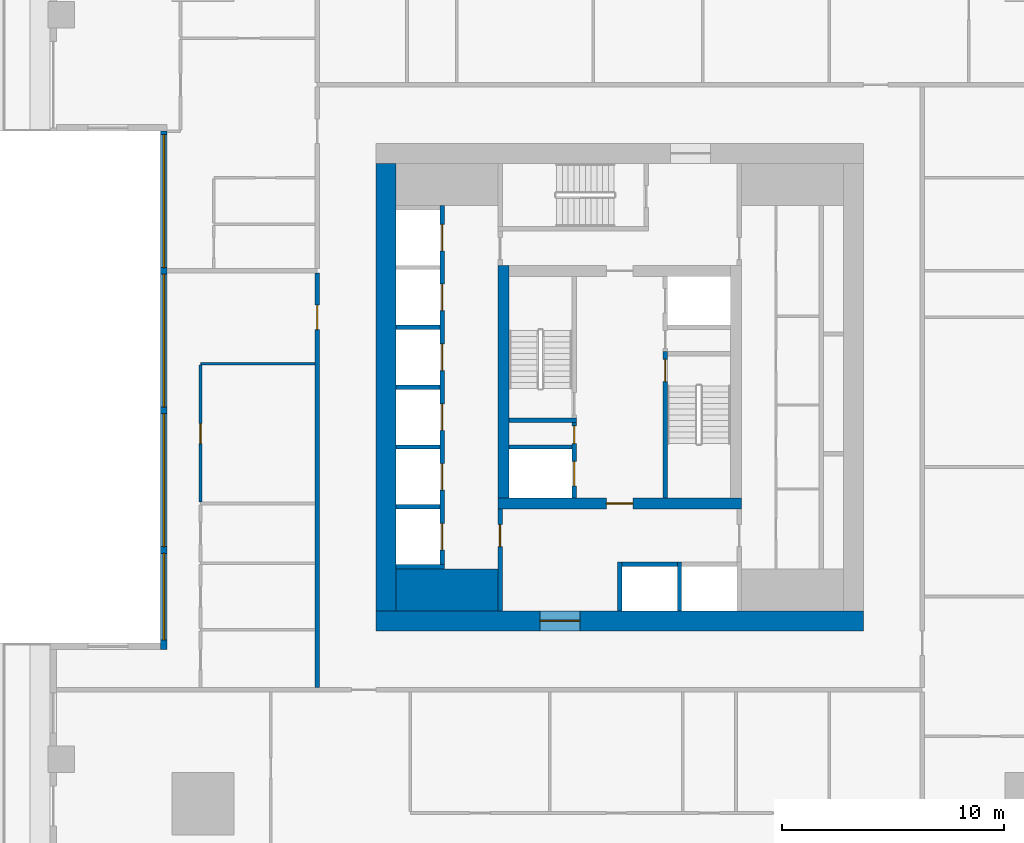
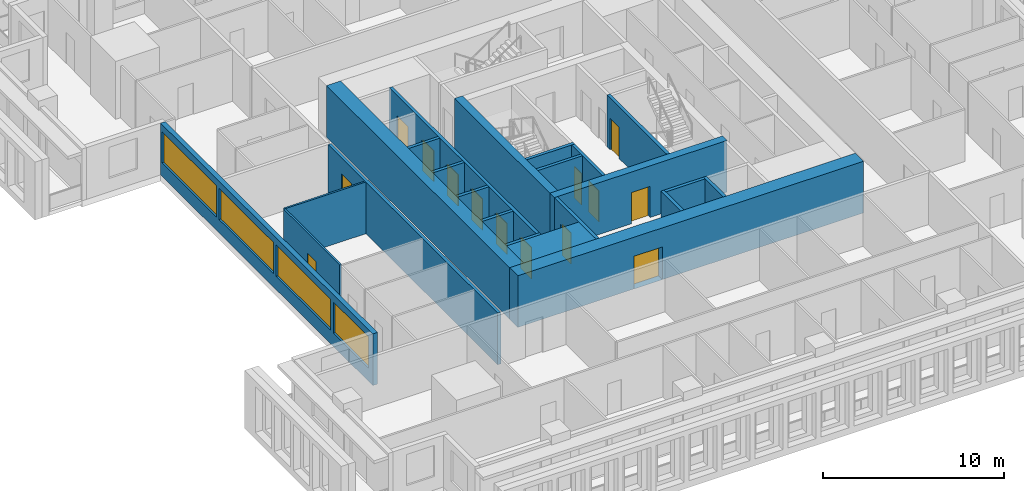
# One storey, part 3 of 14: 23 walls, 14 doors, 4 windows, 18 openings.
"""IFC4 building model written with IfcOpenShell, lengths in metres."""

from ifc_helpers import new_model, si_unit, direction, frame, frame_2d, origin, place, context, subcontext, project, spatial, rectangle, extrude, material, layer, layer_set, type_object, element, fill, save


model = new_model("IFC4")

# Units and contexts
model_context = context("Model", 3, precision=1e-05, world=origin(), true_north=direction((0.0, 1.0)))
body_context = subcontext(model_context, "Body", "Model", "MODEL_VIEW")
ifc_project = project(units=[si_unit("LENGTHUNIT", "METRE"), si_unit("AREAUNIT", "SQUARE_METRE"), si_unit("VOLUMEUNIT", "CUBIC_METRE"), si_unit("PLANEANGLEUNIT", "RADIAN"), si_unit("MASSUNIT", "GRAM", prefix="KILO")], contexts=[model_context])

# Site, building, storey
site_placement = place(None, origin())
site = spatial("IfcSite", under=ifc_project, at=site_placement, CompositionType="ELEMENT")
building_placement = place(site_placement, origin())
building = spatial("IfcBuilding", under=site, at=building_placement, Name="Khepri Terraces", CompositionType="ELEMENT")
storey_placement = place(building_placement, frame((0.0, 0.0, 114.300048828125)))
storey = spatial("IfcBuildingStorey", under=building, at=storey_placement, Name="L27", CompositionType="ELEMENT", Elevation=114.300048828125)

# Wall
ifc_material_1 = material(Name="Concrete C70/85", Category="concrete")
ifc_layer_1 = layer(ifc_material_1, 1.89990234375, Name="Concrete C70/85", Category="concrete")
ifc_layer_set_1 = layer_set([ifc_layer_1], Name="Concrete C70/85")
wall_type_1 = type_object("IfcWallType", Name="Core wall 1900 C70/85", PredefinedType="SHEAR", material=ifc_layer_set_1)
wall_1_placement = place(storey_placement, frame((-10.10009765625, -9.14990234375, 0.0), z_axis=(0.0, 0.0, 1.0), x_axis=(1.0, 0.0, 0.0)))
element("IfcWall", 1, at=wall_1_placement, inside=storey, type_object=wall_type_1, Name="Core wall PR01 L27", PredefinedType="SHEAR", context=body_context, shape_type="SweptSolid", body=[
    extrude(rectangle(XDim=4.60009765625, YDim=1.89990234375, at=frame_2d((2.300048828125, 0.0))), origin(), (0.0, 0.0, 1.0), 3.47998046875),
])

# Wall, opening, door
ifc_layer_2 = layer(ifc_material_1, 0.199951171875, Name="Concrete C70/85", Category="concrete")
ifc_layer_set_2 = layer_set([ifc_layer_2], Name="Concrete C70/85")
wall_type_2 = type_object("IfcWallType", Name="Core wall 200 C70/85", PredefinedType="SHEAR", material=ifc_layer_set_2)
wall_2_placement = place(storey_placement, frame((2.050048828125, -5.0, 0.0), z_axis=(0.0, 0.0, 1.0), x_axis=(0.0, 1.0, 0.0)))
wall_2 = element("IfcWall", 2, at=wall_2_placement, inside=storey, type_object=wall_type_2, Name="Core wall ST01 L27", PredefinedType="SHEAR", context=body_context, shape_type="SweptSolid", body=[
    extrude(rectangle(XDim=6.60009765625, YDim=0.199951171875, at=frame_2d((3.300048828125, 0.0))), origin(), (0.0, 0.0, 1.0), 3.47998046875),
])
opening_1_placement = place(wall_2_placement, frame((5.25, 0.0, 0.0)))
opening_1 = element("IfcOpeningElement", 3, at=opening_1_placement, cuts=wall_2, Name="Opening L27-C10", PredefinedType="OPENING", context=body_context, shape_type="SweptSolid", body=[
    extrude(rectangle(XDim=1.0, YDim=2.10009765625, at=frame_2d((0.5, 1.050048828125))), frame((0.0, 0.10986328125, 0.0), z_axis=(0.0, -1.0, 0.0), x_axis=(1.0, 0.0, 0.0)), (0.0, 0.0, 1.0), 0.219970703125),
])
ifc_material_2 = material(Name="Painted steel", Category="steel")
door_type_1 = type_object("IfcDoorType", Name="DR-CORE-STAIR-1000", OperationType="NOTDEFINED", PredefinedType="DOOR", material=ifc_material_2)
door_1_placement = place(opening_1_placement, frame((1.0, 0.0, 0.0), z_axis=(0.0, 0.0, 1.0), x_axis=(-1.0, 0.0, 0.0)))
door_1 = element("IfcDoor", 4, at=door_1_placement, inside=storey, type_object=door_type_1, Name="Stair door L27-C10", OperationType="SINGLE_SWING_LEFT", OverallHeight=2.10009765625, OverallWidth=1.0, PredefinedType="DOOR", context=body_context, shape_type="SweptSolid", body=[
    extrude(rectangle(XDim=1.0, YDim=2.10009765625, at=frame_2d((0.5, 1.050048828125))), frame((0.0, 0.02490234375, 0.0), z_axis=(0.0, -1.0, 0.0), x_axis=(1.0, 0.0, 0.0)), (0.0, 0.0, 1.0), 0.050048828125),
])
fill(opening_1, door_1)

# Walls
wall_3_placement = place(storey_placement, frame((-5.0, -1.5, 0.0), z_axis=(0.0, 0.0, 1.0), x_axis=(1.0, 0.0, 0.0)))
element("IfcWall", 5, at=wall_3_placement, inside=storey, type_object=wall_type_2, Name="Core wall ST02 L27", PredefinedType="SHEAR", context=body_context, shape_type="SweptSolid", body=[
    extrude(rectangle(XDim=3.050048828125, YDim=0.199951171875, at=frame_2d((1.52490234375, 0.0))), origin(), (0.0, 0.0, 1.0), 3.47998046875),
])
for number, where, z_axis, x_axis, name in (
    (6, (0.0, -10.10009765625, 0.0), (0.0, 0.0, 1.0), (0.0, 1.0, 0.0), "Core wall SH01 L27"),
    (7, (2.699951171875, -10.10009765625, 0.0), (0.0, 0.0, 1.0), (0.0, 1.0, 0.0), "Core wall SH02 L27"),
    (8, (-10.10009765625, -8.10009765625, 0.0), (0.0, 0.0, 1.0), (1.0, 0.0, 0.0), "Core wall SH04 L27"),
):
    element("IfcWall", number, at=place(storey_placement, frame(where, z_axis=z_axis, x_axis=x_axis)), inside=storey, type_object=wall_type_2, Name=name, PredefinedType="SHEAR", context=body_context, shape_type="SweptSolid", body=[
        extrude(rectangle(XDim=2.2001953125, YDim=0.199951171875, at=frame_2d((1.10009765625, 0.0))), origin(), (0.0, 0.0, 1.0), 3.47998046875),
    ])
wall_4_placement = place(storey_placement, frame((0.10009765625, -8.0, 0.0), z_axis=(0.0, 0.0, 1.0), x_axis=(1.0, 0.0, 0.0)))
element("IfcWall", 9, at=wall_4_placement, inside=storey, type_object=wall_type_2, Name="Core wall SH06 L27", PredefinedType="SHEAR", context=body_context, shape_type="SweptSolid", body=[
    extrude(rectangle(XDim=2.5, YDim=0.199951171875, at=frame_2d((1.25, 0.0))), origin(), (0.0, 0.0, 1.0), 3.47998046875),
])

# Wall, openings, doors
wall_5_placement = place(storey_placement, frame((-8.0, -8.0, 0.0), z_axis=(0.0, 0.0, 1.0), x_axis=(0.0, 1.0, 0.0)))
wall_5 = element("IfcWall", 10, at=wall_5_placement, inside=storey, type_object=wall_type_2, Name="Core wall SH08 L27", PredefinedType="SHEAR", context=body_context, shape_type="SweptSolid", body=[
    extrude(rectangle(XDim=16.199951171875, YDim=0.199951171875, at=frame_2d((8.10009765625, 0.0))), origin(), (0.0, 0.0, 1.0), 3.47998046875),
])
opening_2_placement = place(wall_5_placement, frame((0.64990234375, 0.0, 0.0)))
opening_2 = element("IfcOpeningElement", 11, at=opening_2_placement, cuts=wall_5, Name="Opening L27-C01", PredefinedType="OPENING", context=body_context, shape_type="SweptSolid", body=[
    extrude(rectangle(XDim=1.199951171875, YDim=2.10009765625, at=frame_2d((0.60009765625, 1.050048828125))), frame((0.0, 0.10986328125, 0.0), z_axis=(0.0, -1.0, 0.0), x_axis=(1.0, 0.0, 0.0)), (0.0, 0.0, 1.0), 0.219970703125),
])
opening_3_placement = place(wall_5_placement, frame((3.35009765625, 0.0, 0.0)))
opening_3 = element("IfcOpeningElement", 12, at=opening_3_placement, cuts=wall_5, Name="Opening L27-C02", PredefinedType="OPENING", context=body_context, shape_type="SweptSolid", body=[
    extrude(rectangle(XDim=1.199951171875, YDim=2.10009765625, at=frame_2d((0.60009765625, 1.050048828125))), frame((0.0, 0.10986328125, 0.0), z_axis=(0.0, -1.0, 0.0), x_axis=(1.0, 0.0, 0.0)), (0.0, 0.0, 1.0), 0.219970703125),
])
opening_4_placement = place(wall_5_placement, frame((6.050048828125, 0.0, 0.0)))
opening_4 = element("IfcOpeningElement", 13, at=opening_4_placement, cuts=wall_5, Name="Opening L27-C03", PredefinedType="OPENING", context=body_context, shape_type="SweptSolid", body=[
    extrude(rectangle(XDim=1.199951171875, YDim=2.10009765625, at=frame_2d((0.60009765625, 1.050048828125))), frame((0.0, 0.10986328125, 0.0), z_axis=(0.0, -1.0, 0.0), x_axis=(1.0, 0.0, 0.0)), (0.0, 0.0, 1.0), 0.219970703125),
])
opening_5_placement = place(wall_5_placement, frame((8.75, 0.0, 0.0)))
opening_5 = element("IfcOpeningElement", 14, at=opening_5_placement, cuts=wall_5, Name="Opening L27-C04", PredefinedType="OPENING", context=body_context, shape_type="SweptSolid", body=[
    extrude(rectangle(XDim=1.199951171875, YDim=2.10009765625, at=frame_2d((0.60009765625, 1.050048828125))), frame((0.0, 0.10986328125, 0.0), z_axis=(0.0, -1.0, 0.0), x_axis=(1.0, 0.0, 0.0)), (0.0, 0.0, 1.0), 0.219970703125),
])
opening_6_placement = place(wall_5_placement, frame((11.449951171875, 0.0, 0.0)))
opening_6 = element("IfcOpeningElement", 15, at=opening_6_placement, cuts=wall_5, Name="Opening L27-C05", PredefinedType="OPENING", context=body_context, shape_type="SweptSolid", body=[
    extrude(rectangle(XDim=1.199951171875, YDim=2.10009765625, at=frame_2d((0.60009765625, 1.050048828125))), frame((0.0, 0.10986328125, 0.0), z_axis=(0.0, -1.0, 0.0), x_axis=(1.0, 0.0, 0.0)), (0.0, 0.0, 1.0), 0.219970703125),
])
opening_7_placement = place(wall_5_placement, frame((14.14990234375, 0.0, 0.0)))
opening_7 = element("IfcOpeningElement", 16, at=opening_7_placement, cuts=wall_5, Name="Opening L27-C06", PredefinedType="OPENING", context=body_context, shape_type="SweptSolid", body=[
    extrude(rectangle(XDim=1.199951171875, YDim=2.10009765625, at=frame_2d((0.60009765625, 1.050048828125))), frame((0.0, 0.10986328125, 0.0), z_axis=(0.0, -1.0, 0.0), x_axis=(1.0, 0.0, 0.0)), (0.0, 0.0, 1.0), 0.219970703125),
])
ifc_material_3 = material(Name="Stainless steel 304", Category="steel")
door_type_2 = type_object("IfcDoorType", Name="DR-CORE-LANDING-1200", OperationType="NOTDEFINED", PredefinedType="DOOR", material=ifc_material_3)
door_2_placement = place(opening_2_placement, origin())
door_2 = element("IfcDoor", 17, at=door_2_placement, inside=storey, type_object=door_type_2, Name="Lift landing door L27-C01", OperationType="SLIDING_TO_LEFT", OverallHeight=2.10009765625, OverallWidth=1.199951171875, PredefinedType="DOOR", context=body_context, shape_type="SweptSolid", body=[
    extrude(rectangle(XDim=1.199951171875, YDim=2.10009765625, at=frame_2d((0.60009765625, 1.050048828125))), frame((0.0, 0.02490234375, 0.0), z_axis=(0.0, -1.0, 0.0), x_axis=(1.0, 0.0, 0.0)), (0.0, 0.0, 1.0), 0.050048828125),
])
fill(opening_2, door_2)
door_3_placement = place(opening_3_placement, origin())
door_3 = element("IfcDoor", 18, at=door_3_placement, inside=storey, type_object=door_type_2, Name="Lift landing door L27-C02", OperationType="SLIDING_TO_LEFT", OverallHeight=2.10009765625, OverallWidth=1.199951171875, PredefinedType="DOOR", context=body_context, shape_type="SweptSolid", body=[
    extrude(rectangle(XDim=1.199951171875, YDim=2.10009765625, at=frame_2d((0.60009765625, 1.050048828125))), frame((0.0, 0.02490234375, 0.0), z_axis=(0.0, -1.0, 0.0), x_axis=(1.0, 0.0, 0.0)), (0.0, 0.0, 1.0), 0.050048828125),
])
fill(opening_3, door_3)
door_4_placement = place(opening_4_placement, origin())
door_4 = element("IfcDoor", 19, at=door_4_placement, inside=storey, type_object=door_type_2, Name="Lift landing door L27-C03", OperationType="SLIDING_TO_LEFT", OverallHeight=2.10009765625, OverallWidth=1.199951171875, PredefinedType="DOOR", context=body_context, shape_type="SweptSolid", body=[
    extrude(rectangle(XDim=1.199951171875, YDim=2.10009765625, at=frame_2d((0.60009765625, 1.050048828125))), frame((0.0, 0.02490234375, 0.0), z_axis=(0.0, -1.0, 0.0), x_axis=(1.0, 0.0, 0.0)), (0.0, 0.0, 1.0), 0.050048828125),
])
fill(opening_4, door_4)
door_5_placement = place(opening_5_placement, origin())
door_5 = element("IfcDoor", 20, at=door_5_placement, inside=storey, type_object=door_type_2, Name="Lift landing door L27-C04", OperationType="SLIDING_TO_LEFT", OverallHeight=2.10009765625, OverallWidth=1.199951171875, PredefinedType="DOOR", context=body_context, shape_type="SweptSolid", body=[
    extrude(rectangle(XDim=1.199951171875, YDim=2.10009765625, at=frame_2d((0.60009765625, 1.050048828125))), frame((0.0, 0.02490234375, 0.0), z_axis=(0.0, -1.0, 0.0), x_axis=(1.0, 0.0, 0.0)), (0.0, 0.0, 1.0), 0.050048828125),
])
fill(opening_5, door_5)
door_6_placement = place(opening_6_placement, origin())
door_6 = element("IfcDoor", 21, at=door_6_placement, inside=storey, type_object=door_type_2, Name="Lift landing door L27-C05", OperationType="SLIDING_TO_LEFT", OverallHeight=2.10009765625, OverallWidth=1.199951171875, PredefinedType="DOOR", context=body_context, shape_type="SweptSolid", body=[
    extrude(rectangle(XDim=1.199951171875, YDim=2.10009765625, at=frame_2d((0.60009765625, 1.050048828125))), frame((0.0, 0.02490234375, 0.0), z_axis=(0.0, -1.0, 0.0), x_axis=(1.0, 0.0, 0.0)), (0.0, 0.0, 1.0), 0.050048828125),
])
fill(opening_6, door_6)
door_7_placement = place(opening_7_placement, origin())
door_7 = element("IfcDoor", 22, at=door_7_placement, inside=storey, type_object=door_type_2, Name="Lift landing door L27-C06", OperationType="SLIDING_TO_LEFT", OverallHeight=2.10009765625, OverallWidth=1.199951171875, PredefinedType="DOOR", context=body_context, shape_type="SweptSolid", body=[
    extrude(rectangle(XDim=1.199951171875, YDim=2.10009765625, at=frame_2d((0.60009765625, 1.050048828125))), frame((0.0, 0.02490234375, 0.0), z_axis=(0.0, -1.0, 0.0), x_axis=(1.0, 0.0, 0.0)), (0.0, 0.0, 1.0), 0.050048828125),
])
fill(opening_7, door_7)

# Wall
wall_6_placement = place(storey_placement, frame((-10.10009765625, -5.39990234375, 0.0), z_axis=(0.0, 0.0, 1.0), x_axis=(1.0, 0.0, 0.0)))
element("IfcWall", 23, at=wall_6_placement, inside=storey, type_object=wall_type_2, Name="Core wall SH09 L27", PredefinedType="SHEAR", context=body_context, shape_type="SweptSolid", body=[
    extrude(rectangle(XDim=2.0, YDim=0.199951171875, at=frame_2d((1.0, 0.0))), origin(), (0.0, 0.0, 1.0), 3.47998046875),
])

# Wall, openings, doors
wall_7_placement = place(storey_placement, frame((-2.050048828125, -5.0, 0.0), z_axis=(0.0, 0.0, 1.0), x_axis=(0.0, 1.0, 0.0)))
wall_7 = element("IfcWall", 24, at=wall_7_placement, inside=storey, type_object=wall_type_2, Name="Core wall SH10 L27", PredefinedType="SHEAR", context=body_context, shape_type="SweptSolid", body=[
    extrude(rectangle(XDim=3.39990234375, YDim=0.199951171875, at=frame_2d((1.699951171875, 0.0))), origin(), (0.0, 0.0, 1.0), 3.47998046875),
])
opening_8_placement = place(wall_7_placement, frame((0.550048828125, 0.0, 0.0)))
opening_8 = element("IfcOpeningElement", 25, at=opening_8_placement, cuts=wall_7, Name="Opening L27-C08", PredefinedType="OPENING", context=body_context, shape_type="SweptSolid", body=[
    extrude(rectangle(XDim=1.10009765625, YDim=2.10009765625, at=frame_2d((0.550048828125, 1.050048828125))), frame((0.0, 0.10986328125, 0.0), z_axis=(0.0, -1.0, 0.0), x_axis=(1.0, 0.0, 0.0)), (0.0, 0.0, 1.0), 0.219970703125),
])
opening_9_placement = place(wall_7_placement, frame((2.449951171875, 0.0, 0.0)))
opening_9 = element("IfcOpeningElement", 26, at=opening_9_placement, cuts=wall_7, Name="Opening L27-C12", PredefinedType="OPENING", context=body_context, shape_type="SweptSolid", body=[
    extrude(rectangle(XDim=0.800048828125, YDim=2.10009765625, at=frame_2d((0.39990234375, 1.050048828125))), frame((0.0, 0.10986328125, 0.0), z_axis=(0.0, -1.0, 0.0), x_axis=(1.0, 0.0, 0.0)), (0.0, 0.0, 1.0), 0.219970703125),
])
door_type_3 = type_object("IfcDoorType", Name="DR-CORE-FF-LANDING-1100", OperationType="NOTDEFINED", PredefinedType="DOOR", material=ifc_material_3)
door_8_placement = place(opening_8_placement, origin())
door_8 = element("IfcDoor", 27, at=door_8_placement, inside=storey, type_object=door_type_3, Name="Firefighting lift landing door L27-C08", OperationType="SLIDING_TO_LEFT", OverallHeight=2.10009765625, OverallWidth=1.10009765625, PredefinedType="DOOR", context=body_context, shape_type="SweptSolid", body=[
    extrude(rectangle(XDim=1.10009765625, YDim=2.10009765625, at=frame_2d((0.550048828125, 1.050048828125))), frame((0.0, 0.02490234375, 0.0), z_axis=(0.0, -1.0, 0.0), x_axis=(1.0, 0.0, 0.0)), (0.0, 0.0, 1.0), 0.050048828125),
])
fill(opening_8, door_8)
door_type_4 = type_object("IfcDoorType", Name="DR-CORE-RISER-800", OperationType="NOTDEFINED", PredefinedType="DOOR", material=ifc_material_2)
door_9_placement = place(opening_9_placement, origin())
door_9 = element("IfcDoor", 28, at=door_9_placement, inside=storey, type_object=door_type_4, Name="Riser door L27-C12", OperationType="SINGLE_SWING_RIGHT", OverallHeight=2.10009765625, OverallWidth=0.800048828125, PredefinedType="DOOR", context=body_context, shape_type="SweptSolid", body=[
    extrude(rectangle(XDim=0.800048828125, YDim=2.10009765625, at=frame_2d((0.39990234375, 1.050048828125))), frame((0.0, 0.02490234375, 0.0), z_axis=(0.0, -1.0, 0.0), x_axis=(1.0, 0.0, 0.0)), (0.0, 0.0, 1.0), 0.050048828125),
])
fill(opening_9, door_9)

# Walls
wall_8_placement = place(storey_placement, frame((-10.10009765625, -2.699951171875, 0.0), z_axis=(0.0, 0.0, 1.0), x_axis=(1.0, 0.0, 0.0)))
element("IfcWall", 29, at=wall_8_placement, inside=storey, type_object=wall_type_2, Name="Core wall SH12 L27", PredefinedType="SHEAR", context=body_context, shape_type="SweptSolid", body=[
    extrude(rectangle(XDim=2.0, YDim=0.199951171875, at=frame_2d((1.0, 0.0))), origin(), (0.0, 0.0, 1.0), 3.47998046875),
])
wall_9_placement = place(storey_placement, frame((-5.0, -2.699951171875, 0.0), z_axis=(0.0, 0.0, 1.0), x_axis=(1.0, 0.0, 0.0)))
element("IfcWall", 30, at=wall_9_placement, inside=storey, type_object=wall_type_2, Name="Core wall SH13 L27", PredefinedType="SHEAR", context=body_context, shape_type="SweptSolid", body=[
    extrude(rectangle(XDim=2.85009765625, YDim=0.199951171875, at=frame_2d((1.425048828125, 0.0))), origin(), (0.0, 0.0, 1.0), 3.47998046875),
])
for number, where, z_axis, x_axis, name in (
    (31, (-10.10009765625, 0.0, 0.0), (0.0, 0.0, 1.0), (1.0, 0.0, 0.0), "Core wall SH14 L27"),
    (32, (-10.10009765625, 2.699951171875, 0.0), (0.0, 0.0, 1.0), (1.0, 0.0, 0.0), "Core wall SH17 L27"),
):
    element("IfcWall", number, at=place(storey_placement, frame(where, z_axis=z_axis, x_axis=x_axis)), inside=storey, type_object=wall_type_2, Name=name, PredefinedType="SHEAR", context=body_context, shape_type="SweptSolid", body=[
        extrude(rectangle(XDim=2.0, YDim=0.199951171875, at=frame_2d((1.0, 0.0))), origin(), (0.0, 0.0, 1.0), 3.47998046875),
    ])

# Wall, opening, door
ifc_layer_3 = layer(ifc_material_1, 0.5, Name="Concrete C70/85", Category="concrete")
ifc_layer_set_3 = layer_set([ifc_layer_3], Name="Concrete C70/85")
wall_type_3 = type_object("IfcWallType", Name="Core wall 500 C70/85", PredefinedType="SHEAR", material=ifc_layer_set_3)
wall_10_placement = place(storey_placement, frame((-5.5, -5.25, 0.0), z_axis=(0.0, 0.0, 1.0), x_axis=(1.0, 0.0, 0.0)))
wall_10 = element("IfcWall", 33, at=wall_10_placement, inside=storey, type_object=wall_type_3, Name="Core wall BX01 L27", PredefinedType="SHEAR", context=body_context, shape_type="SweptSolid", body=[
    extrude(rectangle(XDim=11.0, YDim=0.5, at=frame_2d((5.5, 0.0))), origin(), (0.0, 0.0, 1.0), 3.47998046875),
])
opening_10_placement = place(wall_10_placement, frame((4.89990234375, 0.0, 0.0)))
opening_10 = element("IfcOpeningElement", 34, at=opening_10_placement, cuts=wall_10, Name="Opening L27-C14", PredefinedType="OPENING", context=body_context, shape_type="SweptSolid", body=[
    extrude(rectangle(XDim=1.199951171875, YDim=2.10009765625, at=frame_2d((0.60009765625, 1.050048828125))), frame((0.0, 0.260009765625, 0.0), z_axis=(0.0, -1.0, 0.0), x_axis=(1.0, 0.0, 0.0)), (0.0, 0.0, 1.0), 0.52001953125),
])
door_type_5 = type_object("IfcDoorType", Name="DR-CORE-FF-LOBBY-1200", OperationType="NOTDEFINED", PredefinedType="DOOR", material=ifc_material_2)
door_10_placement = place(opening_10_placement, origin())
door_10 = element("IfcDoor", 35, at=door_10_placement, inside=storey, type_object=door_type_5, Name="Firefighting lobby door L27-C14", OperationType="SINGLE_SWING_RIGHT", OverallHeight=2.10009765625, OverallWidth=1.199951171875, PredefinedType="DOOR", context=body_context, shape_type="SweptSolid", body=[
    extrude(rectangle(XDim=1.199951171875, YDim=2.10009765625, at=frame_2d((0.60009765625, 1.050048828125))), frame((0.0, 0.02490234375, 0.0), z_axis=(0.0, -1.0, 0.0), x_axis=(1.0, 0.0, 0.0)), (0.0, 0.0, 1.0), 0.050048828125),
])
fill(opening_10, door_10)

# Wall
wall_11_placement = place(storey_placement, frame((-5.25, -5.0, 0.0), z_axis=(0.0, 0.0, 1.0), x_axis=(0.0, 1.0, 0.0)))
element("IfcWall", 36, at=wall_11_placement, inside=storey, type_object=wall_type_3, Name="Core wall BX02 L27", PredefinedType="SHEAR", context=body_context, shape_type="SweptSolid", body=[
    extrude(rectangle(XDim=10.5, YDim=0.5, at=frame_2d((5.25, 0.0))), origin(), (0.0, 0.0, 1.0), 3.47998046875),
])

# Wall, opening, door
ifc_layer_4 = layer(ifc_material_1, 0.89990234375, Name="Concrete C70/85", Category="concrete")
ifc_layer_set_4 = layer_set([ifc_layer_4], Name="Concrete C70/85")
wall_type_4 = type_object("IfcWallType", Name="Core wall 900 C70/85", PredefinedType="SHEAR", material=ifc_layer_set_4)
wall_12_placement = place(storey_placement, frame((-11.0, -10.550048828125, 0.0), z_axis=(0.0, 0.0, 1.0), x_axis=(1.0, 0.0, 0.0)))
wall_12 = element("IfcWall", 37, at=wall_12_placement, inside=storey, type_object=wall_type_4, Name="Core wall OW-S L27", PredefinedType="SHEAR", context=body_context, shape_type="SweptSolid", body=[
    extrude(rectangle(XDim=22.0, YDim=0.89990234375, at=frame_2d((11.0, 0.0))), origin(), (0.0, 0.0, 1.0), 3.47998046875),
])
opening_11_placement = place(wall_12_placement, frame((7.39990234375, 0.0, 0.0)))
opening_11 = element("IfcOpeningElement", 38, at=opening_11_placement, cuts=wall_12, Name="Opening L27-C21", PredefinedType="OPENING", context=body_context, shape_type="SweptSolid", body=[
    extrude(rectangle(XDim=1.800048828125, YDim=2.199951171875, at=frame_2d((0.89990234375, 1.10009765625))), frame((0.0, 0.4599609375, 0.0), z_axis=(0.0, -1.0, 0.0), x_axis=(1.0, 0.0, 0.0)), (0.0, 0.0, 1.0), 0.919921875),
])
door_type_6 = type_object("IfcDoorType", Name="DR-CORE-ENTRANCE-1800", OperationType="NOTDEFINED", PredefinedType="DOOR", material=ifc_material_2)
door_11_placement = place(opening_11_placement, frame((1.800048828125, 0.0, 0.0), z_axis=(0.0, 0.0, 1.0), x_axis=(-1.0, 0.0, 0.0)))
door_11 = element("IfcDoor", 39, at=door_11_placement, inside=storey, type_object=door_type_6, Name="Core entrance door pair L27-C21", OperationType="DOUBLE_DOOR_SINGLE_SWING", OverallHeight=2.199951171875, OverallWidth=1.800048828125, PredefinedType="DOOR", context=body_context, shape_type="SweptSolid", body=[
    extrude(rectangle(XDim=1.800048828125, YDim=2.199951171875, at=frame_2d((0.89990234375, 1.10009765625))), frame((0.0, 0.02490234375, 0.0), z_axis=(0.0, -1.0, 0.0), x_axis=(1.0, 0.0, 0.0)), (0.0, 0.0, 1.0), 0.050048828125),
])
fill(opening_11, door_11)

# Wall
wall_13_placement = place(storey_placement, frame((-10.550048828125, -10.10009765625, 0.0), z_axis=(0.0, 0.0, 1.0), x_axis=(0.0, 1.0, 0.0)))
element("IfcWall", 40, at=wall_13_placement, inside=storey, type_object=wall_type_4, Name="Core wall OW-W L27", PredefinedType="SHEAR", context=body_context, shape_type="SweptSolid", body=[
    extrude(rectangle(XDim=20.2001953125, YDim=0.89990234375, at=frame_2d((10.10009765625, 0.0))), origin(), (0.0, 0.0, 1.0), 3.47998046875),
])

# Wall, opening, door
ifc_material_4 = material(Name="Fire-rated gypsum board partition")
ifc_layer_5 = layer(ifc_material_4, 0.199951171875, Name="Fire-rated gypsum board partition")
ifc_layer_set_5 = layer_set([ifc_layer_5], Name="Fire-rated gypsum board partition")
wall_type_5 = type_object("IfcWallType", Name="WL-CORE-PART-200", PredefinedType="PARTITIONING", material=ifc_layer_set_5)
wall_14_placement = place(storey_placement, frame((-5.39990234375, -10.10009765625, 0.0), z_axis=(0.0, 0.0, 1.0), x_axis=(0.0, 1.0, 0.0)))
wall_14 = element("IfcWall", 41, at=wall_14_placement, inside=storey, type_object=wall_type_5, Name="Core partition PT01 L27", PredefinedType="PARTITIONING", context=body_context, shape_type="SweptSolid", body=[
    extrude(rectangle(XDim=4.60009765625, YDim=0.199951171875, at=frame_2d((2.300048828125, 0.0))), origin(), (0.0, 0.0, 1.0), 3.47998046875),
])
opening_12_placement = place(wall_14_placement, frame((2.89990234375, 0.0, 0.0)))
opening_12 = element("IfcOpeningElement", 42, at=opening_12_placement, cuts=wall_14, Name="Opening L27-C18", PredefinedType="OPENING", context=body_context, shape_type="SweptSolid", body=[
    extrude(rectangle(XDim=1.0, YDim=2.10009765625, at=frame_2d((0.5, 1.050048828125))), frame((0.0, 0.10986328125, 0.0), z_axis=(0.0, -1.0, 0.0), x_axis=(1.0, 0.0, 0.0)), (0.0, 0.0, 1.0), 0.219970703125),
])
door_type_7 = type_object("IfcDoorType", Name="DR-CORE-LOBBY-1000", OperationType="NOTDEFINED", PredefinedType="DOOR", material=ifc_material_2)
door_12_placement = place(opening_12_placement, frame((1.0, 0.0, 0.0), z_axis=(0.0, 0.0, 1.0), x_axis=(-1.0, 0.0, 0.0)))
door_12 = element("IfcDoor", 43, at=door_12_placement, inside=storey, type_object=door_type_7, Name="Lobby door L27-C18", OperationType="SINGLE_SWING_LEFT", OverallHeight=2.10009765625, OverallWidth=1.0, PredefinedType="DOOR", context=body_context, shape_type="SweptSolid", body=[
    extrude(rectangle(XDim=1.0, YDim=2.10009765625, at=frame_2d((0.5, 1.050048828125))), frame((0.0, 0.02490234375, 0.0), z_axis=(0.0, -1.0, 0.0), x_axis=(1.0, 0.0, 0.0)), (0.0, 0.0, 1.0), 0.050048828125),
])
fill(opening_12, door_12)

ifc_material_5 = material(Name="Fire-rated gypsum plasterboard partition, mineral wool")
ifc_layer_6 = layer(ifc_material_5, 0.199951171875, Name="Fire-rated gypsum plasterboard partition, mineral wool")
ifc_layer_set_6 = layer_set([ifc_layer_6], Name="Fire-rated gypsum plasterboard partition, mineral wool")
wall_type_6 = type_object("IfcWallType", Name="WL-CORR-200", PredefinedType="PARTITIONING", material=ifc_layer_set_6)
wall_15_placement = place(storey_placement, frame((-13.64990234375, -13.550048828125, 0.0), z_axis=(0.0, 0.0, 1.0), x_axis=(0.0, 1.0, 0.0)))
wall_15 = element("IfcWall", 44, at=wall_15_placement, inside=storey, type_object=wall_type_6, Name="Partition P-026 L27", PredefinedType="PARTITIONING", context=body_context, shape_type="SweptSolid", body=[
    extrude(rectangle(XDim=18.699951171875, YDim=0.199951171875, at=frame_2d((9.35009765625, 0.0))), origin(), (0.0, 0.0, 1.0), 3.47998046875),
])
opening_13_placement = place(wall_15_placement, frame((16.14990234375, 0.0, 0.0)))
opening_13 = element("IfcOpeningElement", 45, at=opening_13_placement, cuts=wall_15, Name="Opening D1", PredefinedType="OPENING", context=body_context, shape_type="SweptSolid", body=[
    extrude(rectangle(XDim=1.10009765625, YDim=2.39990234375, at=frame_2d((0.550048828125, 1.199951171875))), frame((0.0, 0.10986328125, 0.0), z_axis=(0.0, -1.0, 0.0), x_axis=(1.0, 0.0, 0.0)), (0.0, 0.0, 1.0), 0.219970703125),
])
ifc_material_6 = material(Name="Solid-core timber door leaf, flat entrance door", Category="wood")
door_type_8 = type_object("IfcDoorType", Name="DR-ENT-1100", OperationType="NOTDEFINED", PredefinedType="DOOR", material=ifc_material_6)
door_13_placement = place(opening_13_placement, origin())
door_13 = element("IfcDoor", 46, at=door_13_placement, inside=storey, type_object=door_type_8, Name="Flat D2 entrance door", OperationType="SINGLE_SWING_RIGHT", OverallHeight=2.39990234375, OverallWidth=1.10009765625, PredefinedType="DOOR", context=body_context, shape_type="SweptSolid", body=[
    extrude(rectangle(XDim=1.10009765625, YDim=2.39990234375, at=frame_2d((0.550048828125, 1.199951171875))), frame((0.0, 0.02490234375, 0.0), z_axis=(0.0, -1.0, 0.0), x_axis=(1.0, 0.0, 0.0)), (0.0, 0.0, 1.0), 0.050048828125),
])
fill(opening_13, door_13)

# Wall, openings, windows
ifc_material_7 = material(Name="Precast concrete C50/60 warm stone", Category="masonry")
ifc_layer_7 = layer(ifc_material_7, 0.300048828125, Name="Precast concrete C50/60 warm stone", Category="masonry")
ifc_layer_set_7 = layer_set([ifc_layer_7], Name="Precast concrete C50/60 warm stone")
wall_type_7 = type_object("IfcWallType", Name="WL-EXT-PRECAST-300", PredefinedType="STANDARD", material=ifc_layer_set_7)
wall_16_placement = place(storey_placement, frame((-20.570068359375, 11.550048828125, 0.0), z_axis=(0.0, 0.0, 1.0), x_axis=(0.0, -1.0, 0.0)))
wall_16 = element("IfcWall", 47, at=wall_16_placement, inside=storey, type_object=wall_type_7, Name="External wall L27 W", PredefinedType="STANDARD", context=body_context, shape_type="SweptSolid", body=[
    extrude(rectangle(XDim=23.400146484375, YDim=0.300048828125, at=frame_2d((11.7001953125, 0.0))), origin(), (0.0, 0.0, 1.0), 3.47998046875),
])
opening_14_placement = place(wall_16_placement, frame((0.14990234375, 0.0, 0.89990234375)))
opening_14 = element("IfcOpeningElement", 48, at=opening_14_placement, cuts=wall_16, Name="Opening W3", PredefinedType="OPENING", context=body_context, shape_type="SweptSolid", body=[
    extrude(rectangle(XDim=6.0, YDim=2.10009765625, at=frame_2d((3.0, 1.050048828125))), frame((0.0, 0.16015625, 0.0), z_axis=(0.0, -1.0, 0.0), x_axis=(1.0, 0.0, 0.0)), (0.0, 0.0, 1.0), 0.320068359375),
])
opening_15_placement = place(wall_16_placement, frame((6.449951171875, 0.0, 0.89990234375)))
opening_15 = element("IfcOpeningElement", 49, at=opening_15_placement, cuts=wall_16, Name="Opening W3", PredefinedType="OPENING", context=body_context, shape_type="SweptSolid", body=[
    extrude(rectangle(XDim=6.0, YDim=2.10009765625, at=frame_2d((3.0, 1.050048828125))), frame((0.0, 0.16015625, 0.0), z_axis=(0.0, -1.0, 0.0), x_axis=(1.0, 0.0, 0.0)), (0.0, 0.0, 1.0), 0.320068359375),
])
opening_16_placement = place(wall_16_placement, frame((12.75, 0.0, 0.89990234375)))
opening_16 = element("IfcOpeningElement", 50, at=opening_16_placement, cuts=wall_16, Name="Opening W3", PredefinedType="OPENING", context=body_context, shape_type="SweptSolid", body=[
    extrude(rectangle(XDim=6.0, YDim=2.10009765625, at=frame_2d((3.0, 1.050048828125))), frame((0.0, 0.16015625, 0.0), z_axis=(0.0, -1.0, 0.0), x_axis=(1.0, 0.0, 0.0)), (0.0, 0.0, 1.0), 0.320068359375),
])
opening_17_placement = place(wall_16_placement, frame((19.050048828125, 0.0, 0.89990234375)))
opening_17 = element("IfcOpeningElement", 51, at=opening_17_placement, cuts=wall_16, Name="Opening W2", PredefinedType="OPENING", context=body_context, shape_type="SweptSolid", body=[
    extrude(rectangle(XDim=3.89990234375, YDim=2.10009765625, at=frame_2d((1.949951171875, 1.050048828125))), frame((0.0, 0.16015625, 0.0), z_axis=(0.0, -1.0, 0.0), x_axis=(1.0, 0.0, 0.0)), (0.0, 0.0, 1.0), 0.320068359375),
])
ifc_material_8 = material(Name="Clear glass", Category="glass")
window_type_1 = type_object("IfcWindowType", Name="WIN-RES-3900x2100", PartitioningType="SINGLE_PANEL", PredefinedType="WINDOW", material=ifc_material_8)
window_1_placement = place(opening_17_placement, origin())
window_1 = element("IfcWindow", 52, at=window_1_placement, inside=storey, type_object=window_type_1, Name="Window L27 W", OverallHeight=2.10009765625, OverallWidth=3.89990234375, PartitioningType="SINGLE_PANEL", PredefinedType="WINDOW", context=body_context, shape_type="SweptSolid", body=[
    extrude(rectangle(XDim=3.89990234375, YDim=2.10009765625, at=frame_2d((1.949951171875, 1.050048828125))), frame((0.0, 0.030029296875, 0.0), z_axis=(0.0, -1.0, 0.0), x_axis=(1.0, 0.0, 0.0)), (0.0, 0.0, 1.0), 0.06005859375),
])
fill(opening_17, window_1)
window_type_2 = type_object("IfcWindowType", Name="WIN-RES-6000x2100", PartitioningType="SINGLE_PANEL", PredefinedType="WINDOW", material=ifc_material_8)
window_2_placement = place(opening_14_placement, origin())
window_2 = element("IfcWindow", 53, at=window_2_placement, inside=storey, type_object=window_type_2, Name="Window L27 W", OverallHeight=2.10009765625, OverallWidth=6.0, PartitioningType="SINGLE_PANEL", PredefinedType="WINDOW", context=body_context, shape_type="SweptSolid", body=[
    extrude(rectangle(XDim=6.0, YDim=2.10009765625, at=frame_2d((3.0, 1.050048828125))), frame((0.0, 0.030029296875, 0.0), z_axis=(0.0, -1.0, 0.0), x_axis=(1.0, 0.0, 0.0)), (0.0, 0.0, 1.0), 0.06005859375),
])
fill(opening_14, window_2)
window_3_placement = place(opening_15_placement, origin())
window_3 = element("IfcWindow", 54, at=window_3_placement, inside=storey, type_object=window_type_2, Name="Window L27 W", OverallHeight=2.10009765625, OverallWidth=6.0, PartitioningType="SINGLE_PANEL", PredefinedType="WINDOW", context=body_context, shape_type="SweptSolid", body=[
    extrude(rectangle(XDim=6.0, YDim=2.10009765625, at=frame_2d((3.0, 1.050048828125))), frame((0.0, 0.030029296875, 0.0), z_axis=(0.0, -1.0, 0.0), x_axis=(1.0, 0.0, 0.0)), (0.0, 0.0, 1.0), 0.06005859375),
])
fill(opening_15, window_3)
window_4_placement = place(opening_16_placement, origin())
window_4 = element("IfcWindow", 55, at=window_4_placement, inside=storey, type_object=window_type_2, Name="Window L27 W", OverallHeight=2.10009765625, OverallWidth=6.0, PartitioningType="SINGLE_PANEL", PredefinedType="WINDOW", context=body_context, shape_type="SweptSolid", body=[
    extrude(rectangle(XDim=6.0, YDim=2.10009765625, at=frame_2d((3.0, 1.050048828125))), frame((0.0, 0.030029296875, 0.0), z_axis=(0.0, -1.0, 0.0), x_axis=(1.0, 0.0, 0.0)), (0.0, 0.0, 1.0), 0.06005859375),
])
fill(opening_16, window_4)

# Wall, opening, door
ifc_material_9 = material(Name="Gypsum plasterboard partition")
ifc_layer_8 = layer(ifc_material_9, 0.1201171875, Name="Gypsum plasterboard partition")
ifc_layer_set_8 = layer_set([ifc_layer_8], Name="Gypsum plasterboard partition")
wall_type_8 = type_object("IfcWallType", Name="WL-PART-120", PredefinedType="PARTITIONING", material=ifc_layer_set_8)
wall_17_placement = place(storey_placement, frame((-18.919921875, -5.18994140625, 0.0), z_axis=(0.0, 0.0, 1.0), x_axis=(0.0, 1.0, 0.0)))
wall_17 = element("IfcWall", 56, at=wall_17_placement, inside=storey, type_object=wall_type_8, Name="Partition P-038 L27", PredefinedType="PARTITIONING", context=body_context, shape_type="SweptSolid", body=[
    extrude(rectangle(XDim=6.179931640625, YDim=0.1201171875, at=frame_2d((3.08984375, 0.0))), origin(), (0.0, 0.0, 1.0), 3.47998046875),
])
opening_18_placement = place(wall_17_placement, frame((2.639892578125, 0.0, 0.0)))
opening_18 = element("IfcOpeningElement", 57, at=opening_18_placement, cuts=wall_17, Name="Opening D3", PredefinedType="OPENING", context=body_context, shape_type="SweptSolid", body=[
    extrude(rectangle(XDim=0.89990234375, YDim=2.10009765625, at=frame_2d((0.449951171875, 1.050048828125))), frame((0.0, 0.070068359375, 0.0), z_axis=(0.0, -1.0, 0.0), x_axis=(1.0, 0.0, 0.0)), (0.0, 0.0, 1.0), 0.14013671875),
])
ifc_material_10 = material(Name="Timber door leaf", Category="wood")
door_type_9 = type_object("IfcDoorType", Name="DR-INT-900", OperationType="NOTDEFINED", PredefinedType="DOOR", material=ifc_material_10)
door_14_placement = place(opening_18_placement, frame((0.89990234375, 0.0, 0.0), z_axis=(0.0, 0.0, 1.0), x_axis=(-1.0, 0.0, 0.0)))
door_14 = element("IfcDoor", 58, at=door_14_placement, inside=storey, type_object=door_type_9, Name="Door Kitchen", OperationType="SINGLE_SWING_LEFT", OverallHeight=2.10009765625, OverallWidth=0.89990234375, PredefinedType="DOOR", context=body_context, shape_type="SweptSolid", body=[
    extrude(rectangle(XDim=0.89990234375, YDim=2.10009765625, at=frame_2d((0.449951171875, 1.050048828125))), frame((0.0, 0.02490234375, 0.0), z_axis=(0.0, -1.0, 0.0), x_axis=(1.0, 0.0, 0.0)), (0.0, 0.0, 1.0), 0.050048828125),
])
fill(opening_18, door_14)

# Wall
wall_18_placement = place(storey_placement, frame((-18.919921875, 1.050048828125, 0.0), z_axis=(0.0, 0.0, 1.0), x_axis=(1.0, 0.0, 0.0)))
element("IfcWall", 59, at=wall_18_placement, inside=storey, type_object=wall_type_8, Name="Partition P-044 L27", PredefinedType="PARTITIONING", context=body_context, shape_type="SweptSolid", body=[
    extrude(rectangle(XDim=5.169921875, YDim=0.1201171875, at=frame_2d((2.5849609375, 0.0))), origin(), (0.0, 0.0, 1.0), 3.47998046875),
])

save(model, "model.ifc")
